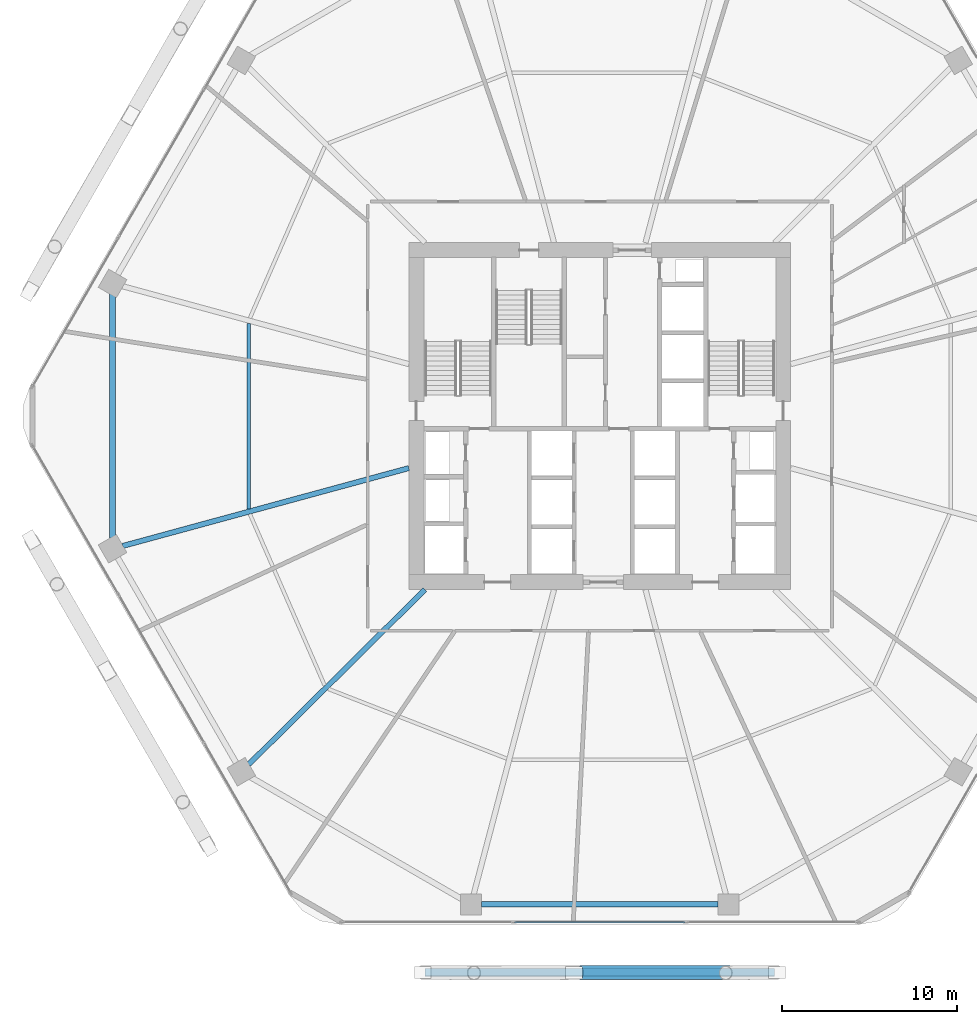
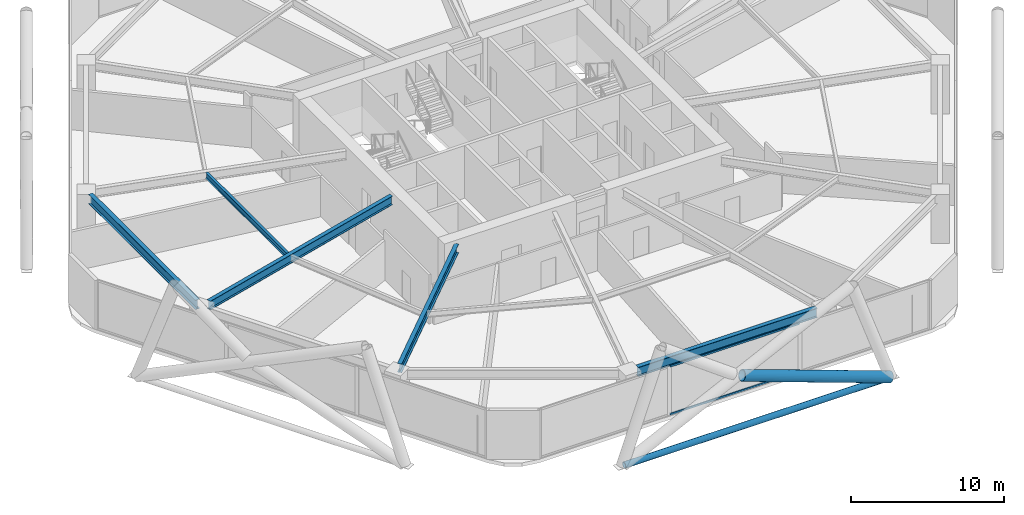
# One storey, part 6 of 29: 5 beams, 4 members, 1 element without a shape of its own.
"""IFC4 building model written with IfcOpenShell, lengths in metres."""

import ifcopenshell
import ifcopenshell.guid

model = None  # the IFC model being written
_history = None  # IfcOwnerHistory: only IFC2X3 demands one
_inside = {}  # id of a spatial element -> (the spatial element, [elements in it])
_under = {}  # id of a project, library or spatial element -> (it, [spatial elements below it])
_declared = {}  # id of a project -> (the project, [libraries it declares])
_typed = {}  # id of a type object -> (the type object, [elements of that type])
_made_of = {}  # id of a material, layer set ... -> (it, [elements and type objects made of it])


def new_model(schema):
    """Start an empty IFC model of exactly this schema.

    Asked for "IFC4X3", IfcOpenShell would pick the latest addendum, in which some entities
    have other attributes; the version numbers below select the first issue.
    IFC2X3 requires an IfcOwnerHistory on every rooted entity: one is made here for all.
    """
    global model, _history
    if schema == "IFC4X3":
        model = ifcopenshell.file(schema_version=(4, 3, 0, 0))
    else:
        model = ifcopenshell.file(schema=schema)
    _inside.clear()
    _under.clear()
    _declared.clear()
    _typed.clear()
    _made_of.clear()
    _history = None
    if model.schema == "IFC2X3":
        org = make("IfcOrganization", Name="unknown")
        user = make(
            "IfcPersonAndOrganization",
            ThePerson=make("IfcPerson", FamilyName="unknown"),
            TheOrganization=org,
        )
        app = make(
            "IfcApplication",
            ApplicationDeveloper=org,
            Version="unknown",
            ApplicationFullName="unknown",
            ApplicationIdentifier="unknown",
        )
        _history = make(
            "IfcOwnerHistory",
            OwningUser=user,
            OwningApplication=app,
            ChangeAction="ADDED",
            CreationDate=0,
        )
    return model


def make(cls, **values):
    """One entity of the class cls with the attributes given. An attribute that is None is left unset."""
    return model.create_entity(
        cls, **{name: value for name, value in values.items() if value is not None}
    )


def rooted(cls, **values):
    """An entity with a GlobalId (a new one), such as an element, a storey or a relation."""
    return make(cls, GlobalId=ifcopenshell.guid.new(), OwnerHistory=_history, **values)


def si_unit(unit_type, name, prefix=None):
    """IfcSIUnit, for example si_unit("LENGTHUNIT", "METRE", prefix="MILLI")."""
    return make("IfcSIUnit", UnitType=unit_type, Prefix=prefix, Name=name)


def assignment(units):
    """IfcUnitAssignment: the units of a project."""
    return None if units is None else make("IfcUnitAssignment", Units=units)


def point(xyz):
    """IfcCartesianPoint."""
    return None if xyz is None else make("IfcCartesianPoint", Coordinates=xyz)


def direction(xyz):
    """IfcDirection."""
    return None if xyz is None else make("IfcDirection", DirectionRatios=xyz)


def frame(location, z_axis=None, x_axis=None):
    """IfcAxis2Placement3D, a coordinate frame: its origin and axes. An axis left out is left unset."""
    return make(
        "IfcAxis2Placement3D",
        Location=point(location),
        Axis=direction(z_axis),
        RefDirection=direction(x_axis),
    )


def frame_2d(location, x_axis=None):
    """IfcAxis2Placement2D, a coordinate frame in the plane: its origin and x axis."""
    return make(
        "IfcAxis2Placement2D", Location=point(location), RefDirection=direction(x_axis)
    )


def origin():
    """The frame at (0, 0, 0) with its axes left unset."""
    return frame((0.0, 0.0, 0.0))


def origin_2d():
    """The frame at (0, 0) in the plane with its x axis left unset."""
    return frame_2d((0.0, 0.0))


def place(relative_to, where):
    """IfcLocalPlacement: puts the frame where relative to a parent placement (None: the world)."""
    return make(
        "IfcLocalPlacement", PlacementRelTo=relative_to, RelativePlacement=where
    )


def context(
    kind, dimensions, precision=None, world=None, true_north=None, identifier=None
):
    """IfcGeometricRepresentationContext, for example the 3D "Model" context."""
    return make(
        "IfcGeometricRepresentationContext",
        ContextIdentifier=identifier,
        ContextType=kind,
        CoordinateSpaceDimension=dimensions,
        Precision=precision,
        WorldCoordinateSystem=world,
        TrueNorth=true_north,
    )


def subcontext(parent, identifier, kind, view, scale=None):
    """IfcGeometricRepresentationSubContext, for example "Body" below "Model"."""
    return make(
        "IfcGeometricRepresentationSubContext",
        ContextIdentifier=identifier,
        ContextType=kind,
        ParentContext=parent,
        TargetScale=scale,
        TargetView=view,
    )


def project(units=None, contexts=None):
    """IfcProject with its units and contexts."""
    return rooted(
        "IfcProject",
        Name="project",
        RepresentationContexts=contexts,
        UnitsInContext=assignment(units),
    )


def spatial(cls, under=None, at=None, **own):
    """A site, building, storey or space (cls), placed at a placement, below another one or the project."""
    s = rooted(cls, ObjectPlacement=at, **own)
    if under is not None:
        _under.setdefault(under.id(), (under, []))[1].append(s)
    return s


def profile(cls, at=None, kind="AREA", **sizes):
    """A parametric profile (cls). Its sizes go by their IFC names, for example OverallWidth=200.0."""
    return make(cls, ProfileType=kind, Position=at, **sizes)


def hollow_rectangle(**sizes):
    """IfcRectangleHollowProfileDef."""
    return profile("IfcRectangleHollowProfileDef", **sizes)


def hollow_circle(**sizes):
    """IfcCircleHollowProfileDef."""
    return profile("IfcCircleHollowProfileDef", **sizes)


def i_section(**sizes):
    """IfcIShapeProfileDef."""
    return profile("IfcIShapeProfileDef", **sizes)


def extrude(swept, where, along, depth):
    """IfcExtrudedAreaSolid: the profile swept, set in the frame where, extruded along a direction by depth."""
    return make(
        "IfcExtrudedAreaSolid",
        SweptArea=swept,
        Position=where,
        ExtrudedDirection=direction(along),
        Depth=depth,
    )


def shape(context_of_items, identifier, shape_type, items):
    """IfcShapeRepresentation: the items that make up one representation, for example the "Body"."""
    return make(
        "IfcShapeRepresentation",
        ContextOfItems=context_of_items,
        RepresentationIdentifier=identifier,
        RepresentationType=shape_type,
        Items=items,
    )


def material(Name=None, Category=None):
    """IfcMaterial."""
    return make("IfcMaterial", Name=Name, Category=Category)


def material_profile(
    of_material, cross_section, Name=None, Category=None, Priority=None
):
    """IfcMaterialProfile: a cross section and its material."""
    return make(
        "IfcMaterialProfile",
        Name=Name,
        Material=of_material,
        Profile=cross_section,
        Priority=Priority,
        Category=Category,
    )


def profile_set(profiles, Name=None, composite=None):
    """IfcMaterialProfileSet."""
    return make(
        "IfcMaterialProfileSet",
        Name=Name,
        MaterialProfiles=profiles,
        CompositeProfile=composite,
    )


def made_of(thing, what):
    """Note that an element or type object is made of a material, layer set ...; save() writes the relation."""
    if what is not None:
        _made_of.setdefault(what.id(), (what, []))[1].append(thing)
    return thing


def type_object(cls, material=None, **own):
    """A type object (cls), such as IfcWallType, which elements share."""
    return made_of(rooted(cls, **own), material)


def element(
    cls,
    number,
    at=None,
    inside=None,
    cuts=None,
    type_object=None,
    material=None,
    context=None,
    identifier="Body",
    shape_type=None,
    held_by="IfcProductDefinitionShape",
    body=None,
    shapes=None,
    **own,
):
    """One element of the class cls, such as IfcWall. Its Tag is "e" and its number.

    at: its placement. inside: the storey or other place that contains it. cuts: it is an
    opening in that element (IfcRelVoidsElement). A single representation is given by context,
    identifier, shape_type and body (its items); several are given by shapes. held_by: the class
    of the entity that holds the representations. save() writes the other relations.
    """
    e = rooted(cls, Tag="e%d" % number, ObjectPlacement=at, **own)
    if body is not None:
        shapes = [shape(context, identifier, shape_type, body)]
    if shapes is not None:
        e.Representation = make(held_by, Representations=shapes)
    if inside is not None:
        _inside.setdefault(inside.id(), (inside, []))[1].append(e)
    if cuts is not None:
        rooted(
            "IfcRelVoidsElement", RelatingBuildingElement=cuts, RelatedOpeningElement=e
        )
    if type_object is not None:
        _typed.setdefault(type_object.id(), (type_object, []))[1].append(e)
    return made_of(e, material)


def aggregate(whole, parts):
    """IfcRelAggregates: a whole, such as a stair, and the parts it consists of."""
    return rooted("IfcRelAggregates", RelatingObject=whole, RelatedObjects=parts)


def save(model, path):
    """Write the relations noted so far, then the file.

    IfcRelAggregates (storeys below a building ...), IfcRelContainedInSpatialStructure (elements
    in a storey), IfcRelDefinesByType, IfcRelAssociatesMaterial and IfcRelDeclares: one each for
    every whole, place, type object, material and project.
    """
    for whole, parts in _under.values():
        aggregate(whole, parts)
    for where, things in _inside.values():
        rooted(
            "IfcRelContainedInSpatialStructure",
            RelatedElements=things,
            RelatingStructure=where,
        )
    for kind, things in _typed.values():
        rooted("IfcRelDefinesByType", RelatedObjects=things, RelatingType=kind)
    for what, things in _made_of.values():
        rooted("IfcRelAssociatesMaterial", RelatedObjects=things, RelatingMaterial=what)
    for by, libraries in _declared.values():
        rooted("IfcRelDeclares", RelatingContext=by, RelatedDefinitions=libraries)
    model.write(path)


model = new_model("IFC4")

# Units and contexts
model_context = context("Model", 3, precision=1e-05, world=origin(), true_north=direction((0.0, 1.0)))
body_context = subcontext(model_context, "Body", "Model", "MODEL_VIEW")
ifc_project = project(units=[si_unit("LENGTHUNIT", "METRE"), si_unit("AREAUNIT", "SQUARE_METRE"), si_unit("VOLUMEUNIT", "CUBIC_METRE"), si_unit("PLANEANGLEUNIT", "RADIAN"), si_unit("MASSUNIT", "GRAM", prefix="KILO")], contexts=[model_context])

# Site, building, storey
site_placement = place(None, origin())
site = spatial("IfcSite", under=ifc_project, at=site_placement, CompositionType="ELEMENT")
building_placement = place(site_placement, origin())
building = spatial("IfcBuilding", under=site, at=building_placement, Name="Zuhravey Tower", CompositionType="ELEMENT")
storey_placement = place(building_placement, frame((0.0, 0.0, 41.39990234375)))
storey = spatial("IfcBuildingStorey", under=building, at=storey_placement, Name="L10", CompositionType="ELEMENT", Elevation=41.39990234375)

# Curtain wall, members
ifc_material_1 = material(Name="Thermally broken anodised aluminium", Category="aluminium")
curtain_wall_type = type_object("IfcCurtainWallType", Name="School Low-E Unitised Curtain Wall CW1", PredefinedType="NOTDEFINED", material=ifc_material_1)
curtain_wall_placement = place(storey_placement, origin())
curtain_wall = element("IfcCurtainWall", 1, at=curtain_wall_placement, inside=storey, type_object=curtain_wall_type, Name="L10 CW1 CW-L10-F5-1", PredefinedType="NOTDEFINED")
ifc_material_2 = material(Name="Anodised aluminium", Category="aluminium")
ifc_material_profile_1 = material_profile(ifc_material_2, hollow_rectangle(XDim=0.090087890625, YDim=0.14990234375, WallThickness=0.0048828125, at=origin_2d()), Name="ALU-RHS-90x150x5")
ifc_profile_set_1 = profile_set([ifc_material_profile_1], Name="Anodised aluminium")
member_type_1 = type_object("IfcMemberType", Name="Curtain-Wall Transom 90x150", PredefinedType="USERDEFINED", material=ifc_profile_set_1)
member_1_placement = place(storey_placement, frame((40.88818359375, 3.04150390625, 0.045166015625), z_axis=(-1.0, 0.0, 0.0), x_axis=(0.0, -1.0, 0.0)))
member_1 = element("IfcMember", 2, at=member_1_placement, type_object=member_type_1, Name="CW1 transom 2.1", ObjectType="TRANSOM", PredefinedType="USERDEFINED", context=body_context, shape_type="SweptSolid", body=[
    extrude(hollow_rectangle(XDim=0.090087890625, YDim=0.14990234375, WallThickness=0.0048828125, at=origin_2d()), origin(), (0.0, 0.0, 1.0), 9.7763671875),
])
member_2_placement = place(storey_placement, frame((40.88818359375, 3.04150390625, 3.875), z_axis=(-1.0, 0.0, 0.0), x_axis=(0.0, -1.0, 0.0)))
member_2 = element("IfcMember", 3, at=member_2_placement, type_object=member_type_1, Name="CW1 transom 2.2", ObjectType="TRANSOM", PredefinedType="USERDEFINED", context=body_context, shape_type="SweptSolid", body=[
    extrude(hollow_rectangle(XDim=0.090087890625, YDim=0.14990234375, WallThickness=0.0048828125, at=origin_2d()), origin(), (0.0, 0.0, 1.0), 9.7763671875),
])
aggregate(curtain_wall, [member_1, member_2])

# Members
ifc_material_3 = material(Name="Steel SM355", Category="steel")
ifc_material_profile_2 = material_profile(ifc_material_3, hollow_circle(Radius=0.228515625, WallThickness=0.02197265625, at=origin_2d()), Name="CHS-457.2x22")
ifc_profile_set_2 = profile_set([ifc_material_profile_2], Name="Steel SM355")
member_type_2 = type_object("IfcMemberType", Name="Exoskeleton Ring Tie CHS457x22", PredefinedType="CHORD", material=ifc_profile_set_2)
member_3_placement = place(storey_placement, frame((26.003173828125, 0.16162109375, -0.493896484375), z_axis=(1.0, 0.0, 0.0), x_axis=(0.0, 1.0, 0.0)))
element("IfcMember", 4, at=member_3_placement, inside=storey, type_object=member_type_2, Name="L10 Exoskeleton Face 5 Tie EXR1", PredefinedType="CHORD", context=body_context, shape_type="SweptSolid", body=[
    extrude(hollow_circle(Radius=0.228515625, WallThickness=0.02197265625, at=origin_2d()), origin(), (0.0, 0.0, 1.0), 19.99365234375),
])
ifc_material_4 = material(Name="Steel SM460", Category="steel")
ifc_material_profile_3 = material_profile(ifc_material_4, hollow_circle(Radius=0.406494140625, WallThickness=0.035888671875, at=origin_2d()), Name="CHS-812.8x36")
ifc_profile_set_3 = profile_set([ifc_material_profile_3], Name="Steel SM460")
member_type_3 = type_object("IfcMemberType", Name="Exoskeleton Zone 1 Diagrid CHS813x36", PredefinedType="BRACE", material=ifc_profile_set_3)
member_4_placement = place(storey_placement, frame((46.08935546875, 0.161376953125, -0.476806640625), z_axis=(-0.940338524812, -0.001210665844, 0.340238141664), x_axis=(0.001287477657, -0.9999991712, 0.0)))
element("IfcMember", 5, at=member_4_placement, inside=storey, type_object=member_type_3, Name="L10 Face 5 Split Diagrid Brace 3A", PredefinedType="BRACE", context=body_context, shape_type="SweptSolid", body=[
    extrude(hollow_circle(Radius=0.406494140625, WallThickness=0.035888671875, at=origin_2d()), origin(), (0.0, 0.0, 1.0), 11.89794921875),
])

# Beams
ifc_material_profile_4 = material_profile(ifc_material_3, i_section(OverallWidth=0.320068359375, OverallDepth=0.75, WebThickness=0.013916015625, FlangeThickness=0.02490234375, at=origin_2d()), Name="H-750x320x14x25")
ifc_profile_set_4 = profile_set([ifc_material_profile_4], Name="Steel SM355")
beam_type_1 = type_object("IfcBeamType", Name="Perimeter Ring Beam H750x320", PredefinedType="BEAM", material=ifc_profile_set_4)
beam_1_placement = place(storey_placement, frame((8.11083984375, 38.988525390625, 3.545166015625), z_axis=(0.0, -1.0, 0.0), x_axis=(1.0, 0.0, 0.0)))
element("IfcBeam", 6, at=beam_1_placement, inside=storey, type_object=beam_type_1, Name="L10 PB1 BM-L10-PB-06", PredefinedType="BEAM", context=body_context, shape_type="SweptSolid", body=[
    extrude(i_section(OverallWidth=0.320068359375, OverallDepth=0.75, WebThickness=0.013916015625, FlangeThickness=0.02490234375, at=origin_2d()), origin(), (0.0, 0.0, 1.0), 13.97705078125),
])
beam_2_placement = place(storey_placement, frame((29.23291015625, 4.051513671875, 3.545166015625), z_axis=(1.0, 0.0, 0.0), x_axis=(0.0, 1.0, 0.0)))
element("IfcBeam", 7, at=beam_2_placement, inside=storey, type_object=beam_type_1, Name="L10 PB1 BM-L10-PB-09", PredefinedType="BEAM", context=body_context, shape_type="SweptSolid", body=[
    extrude(i_section(OverallWidth=0.320068359375, OverallDepth=0.75, WebThickness=0.013916015625, FlangeThickness=0.02490234375, at=origin_2d()), origin(), (0.0, 0.0, 1.0), 13.5341796875),
])
ifc_material_profile_5 = material_profile(ifc_material_3, i_section(OverallWidth=0.300048828125, OverallDepth=0.699951171875, WebThickness=0.012939453125, FlangeThickness=0.02392578125, at=origin_2d()), Name="H-700x300x13x24")
ifc_profile_set_5 = profile_set([ifc_material_profile_5], Name="Steel SM355")
beam_type_2 = type_object("IfcBeamType", Name="Radial Primary Girder H700x300", PredefinedType="BEAM", material=ifc_profile_set_5)
beam_3_placement = place(storey_placement, frame((25.072021484375, 29.025390625, 3.570068359375), z_axis=(-0.964892480455, -0.26264520015, 0.0), x_axis=(0.26264520015, -0.964892480455, 0.0)))
element("IfcBeam", 8, at=beam_3_placement, inside=storey, type_object=beam_type_2, Name="L10 RG1 BM-L10-RAD-07", PredefinedType="BEAM", context=body_context, shape_type="SweptSolid", body=[
    extrude(i_section(OverallWidth=0.300048828125, OverallDepth=0.699951171875, WebThickness=0.012939453125, FlangeThickness=0.02392578125, at=origin_2d()), origin(), (0.0, 0.0, 1.0), 16.975341796875),
])
beam_4_placement = place(storey_placement, frame((25.992919921875, 22.072021484375, 3.570068359375), z_axis=(-0.709902823282, -0.704299639, 0.0), x_axis=(0.704299639, -0.709902823282, 0.0)))
element("IfcBeam", 9, at=beam_4_placement, inside=storey, type_object=beam_type_2, Name="L10 RG1 BM-L10-RAD-08", PredefinedType="BEAM", context=body_context, shape_type="SweptSolid", body=[
    extrude(i_section(OverallWidth=0.300048828125, OverallDepth=0.699951171875, WebThickness=0.012939453125, FlangeThickness=0.02392578125, at=origin_2d()), origin(), (0.0, 0.0, 1.0), 14.204345703125),
])
ifc_material_profile_6 = material_profile(ifc_material_3, i_section(OverallWidth=0.199951171875, OverallDepth=0.449951171875, WebThickness=0.009033203125, FlangeThickness=0.013916015625, at=origin_2d()), Name="H-450x200x9x14")
ifc_profile_set_6 = profile_set([ifc_material_profile_6], Name="Steel SM355")
beam_type_3 = type_object("IfcBeamType", Name="Secondary Floor Joist H450x200", PredefinedType="JOIST", material=ifc_profile_set_6)
beam_5_placement = place(storey_placement, frame((15.9130859375, 37.313720703125, 3.695068359375), z_axis=(0.0, -1.0, 0.0), x_axis=(1.0, 0.0, 0.0)))
element("IfcBeam", 10, at=beam_5_placement, inside=storey, type_object=beam_type_3, Name="L10 SJ1 BM-L10-SJ-06-1", PredefinedType="JOIST", context=body_context, shape_type="SweptSolid", body=[
    extrude(i_section(OverallWidth=0.199951171875, OverallDepth=0.449951171875, WebThickness=0.009033203125, FlangeThickness=0.013916015625, at=origin_2d()), origin(), (0.0, 0.0, 1.0), 10.62744140625),
])

save(model, "model.ifc")
